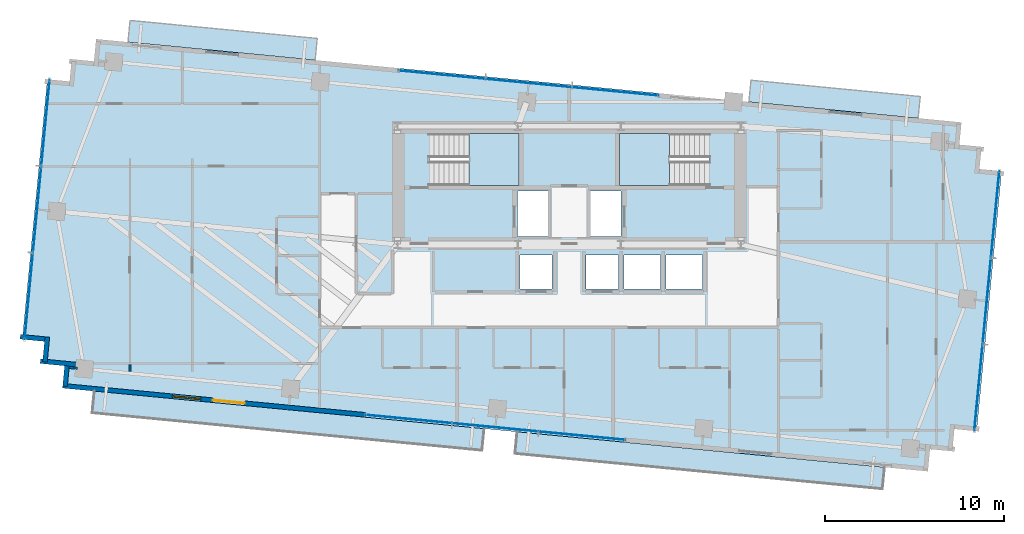
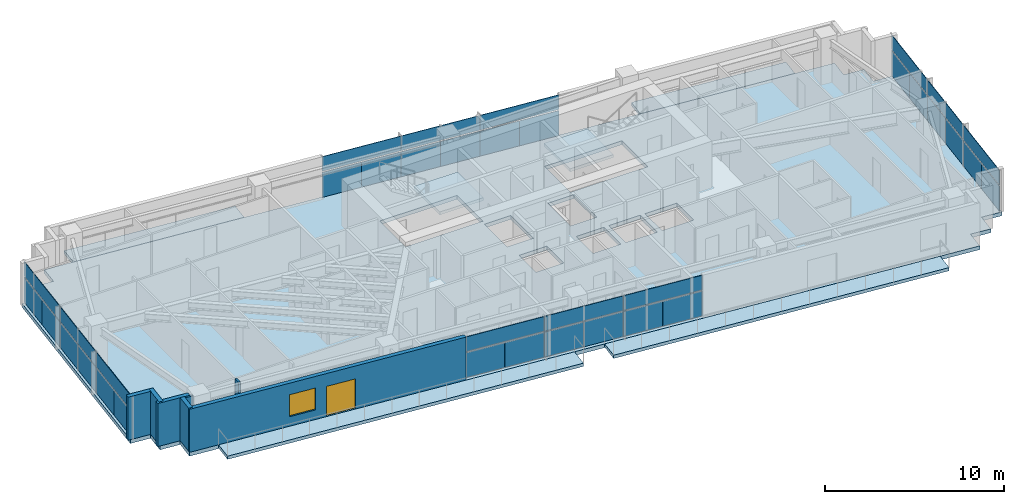
# One storey, part 13 of 19: 36 plates, 7 slabs, 7 walls, 1 door, 1 window, 2 openings, 6 elements without a shape of their own.
"""IFC4 building model written with IfcOpenShell, lengths in metres."""

import ifcopenshell
import ifcopenshell.guid

model = None  # the IFC model being written
_history = None  # IfcOwnerHistory: only IFC2X3 demands one
_inside = {}  # id of a spatial element -> (the spatial element, [elements in it])
_under = {}  # id of a project, library or spatial element -> (it, [spatial elements below it])
_declared = {}  # id of a project -> (the project, [libraries it declares])
_typed = {}  # id of a type object -> (the type object, [elements of that type])
_made_of = {}  # id of a material, layer set ... -> (it, [elements and type objects made of it])


def new_model(schema):
    """Start an empty IFC model of exactly this schema.

    Asked for "IFC4X3", IfcOpenShell would pick the latest addendum, in which some entities
    have other attributes; the version numbers below select the first issue.
    IFC2X3 requires an IfcOwnerHistory on every rooted entity: one is made here for all.
    """
    global model, _history
    if schema == "IFC4X3":
        model = ifcopenshell.file(schema_version=(4, 3, 0, 0))
    else:
        model = ifcopenshell.file(schema=schema)
    _inside.clear()
    _under.clear()
    _declared.clear()
    _typed.clear()
    _made_of.clear()
    _history = None
    if model.schema == "IFC2X3":
        org = make("IfcOrganization", Name="unknown")
        user = make(
            "IfcPersonAndOrganization",
            ThePerson=make("IfcPerson", FamilyName="unknown"),
            TheOrganization=org,
        )
        app = make(
            "IfcApplication",
            ApplicationDeveloper=org,
            Version="unknown",
            ApplicationFullName="unknown",
            ApplicationIdentifier="unknown",
        )
        _history = make(
            "IfcOwnerHistory",
            OwningUser=user,
            OwningApplication=app,
            ChangeAction="ADDED",
            CreationDate=0,
        )
    return model


def make(cls, **values):
    """One entity of the class cls with the attributes given. An attribute that is None is left unset."""
    return model.create_entity(
        cls, **{name: value for name, value in values.items() if value is not None}
    )


def rooted(cls, **values):
    """An entity with a GlobalId (a new one), such as an element, a storey or a relation."""
    return make(cls, GlobalId=ifcopenshell.guid.new(), OwnerHistory=_history, **values)


def si_unit(unit_type, name, prefix=None):
    """IfcSIUnit, for example si_unit("LENGTHUNIT", "METRE", prefix="MILLI")."""
    return make("IfcSIUnit", UnitType=unit_type, Prefix=prefix, Name=name)


def assignment(units):
    """IfcUnitAssignment: the units of a project."""
    return None if units is None else make("IfcUnitAssignment", Units=units)


def point(xyz):
    """IfcCartesianPoint."""
    return None if xyz is None else make("IfcCartesianPoint", Coordinates=xyz)


def direction(xyz):
    """IfcDirection."""
    return None if xyz is None else make("IfcDirection", DirectionRatios=xyz)


def frame(location, z_axis=None, x_axis=None):
    """IfcAxis2Placement3D, a coordinate frame: its origin and axes. An axis left out is left unset."""
    return make(
        "IfcAxis2Placement3D",
        Location=point(location),
        Axis=direction(z_axis),
        RefDirection=direction(x_axis),
    )


def frame_2d(location, x_axis=None):
    """IfcAxis2Placement2D, a coordinate frame in the plane: its origin and x axis."""
    return make(
        "IfcAxis2Placement2D", Location=point(location), RefDirection=direction(x_axis)
    )


def origin():
    """The frame at (0, 0, 0) with its axes left unset."""
    return frame((0.0, 0.0, 0.0))


def origin_2d():
    """The frame at (0, 0) in the plane with its x axis left unset."""
    return frame_2d((0.0, 0.0))


def place(relative_to, where):
    """IfcLocalPlacement: puts the frame where relative to a parent placement (None: the world)."""
    return make(
        "IfcLocalPlacement", PlacementRelTo=relative_to, RelativePlacement=where
    )


def context(
    kind, dimensions, precision=None, world=None, true_north=None, identifier=None
):
    """IfcGeometricRepresentationContext, for example the 3D "Model" context."""
    return make(
        "IfcGeometricRepresentationContext",
        ContextIdentifier=identifier,
        ContextType=kind,
        CoordinateSpaceDimension=dimensions,
        Precision=precision,
        WorldCoordinateSystem=world,
        TrueNorth=true_north,
    )


def subcontext(parent, identifier, kind, view, scale=None):
    """IfcGeometricRepresentationSubContext, for example "Body" below "Model"."""
    return make(
        "IfcGeometricRepresentationSubContext",
        ContextIdentifier=identifier,
        ContextType=kind,
        ParentContext=parent,
        TargetScale=scale,
        TargetView=view,
    )


def project(units=None, contexts=None):
    """IfcProject with its units and contexts."""
    return rooted(
        "IfcProject",
        Name="project",
        RepresentationContexts=contexts,
        UnitsInContext=assignment(units),
    )


def spatial(cls, under=None, at=None, **own):
    """A site, building, storey or space (cls), placed at a placement, below another one or the project."""
    s = rooted(cls, ObjectPlacement=at, **own)
    if under is not None:
        _under.setdefault(under.id(), (under, []))[1].append(s)
    return s


def polyline(points):
    """IfcPolyline through the points."""
    return make("IfcPolyline", Points=[point(p) for p in points])


def profile(cls, at=None, kind="AREA", **sizes):
    """A parametric profile (cls). Its sizes go by their IFC names, for example OverallWidth=200.0."""
    return make(cls, ProfileType=kind, Position=at, **sizes)


def rectangle(**sizes):
    """IfcRectangleProfileDef."""
    return profile("IfcRectangleProfileDef", **sizes)


def outline(outer, holes=None, kind="AREA"):
    """IfcArbitraryClosedProfileDef: a profile drawn as a closed curve; with holes, ...WithVoids."""
    if holes is None:
        return make("IfcArbitraryClosedProfileDef", ProfileType=kind, OuterCurve=outer)
    return make(
        "IfcArbitraryProfileDefWithVoids",
        ProfileType=kind,
        OuterCurve=outer,
        InnerCurves=holes,
    )


def extrude(swept, where, along, depth):
    """IfcExtrudedAreaSolid: the profile swept, set in the frame where, extruded along a direction by depth."""
    return make(
        "IfcExtrudedAreaSolid",
        SweptArea=swept,
        Position=where,
        ExtrudedDirection=direction(along),
        Depth=depth,
    )


def shape(context_of_items, identifier, shape_type, items):
    """IfcShapeRepresentation: the items that make up one representation, for example the "Body"."""
    return make(
        "IfcShapeRepresentation",
        ContextOfItems=context_of_items,
        RepresentationIdentifier=identifier,
        RepresentationType=shape_type,
        Items=items,
    )


def source(mapping_origin, context_of_items, identifier, shape_type, items):
    """IfcRepresentationMap: a shape defined once, which mapped items show again and again."""
    return make(
        "IfcRepresentationMap",
        MappingOrigin=mapping_origin,
        MappedRepresentation=shape(context_of_items, identifier, shape_type, items),
    )


def transform(
    local_origin,
    x_axis=None,
    y_axis=None,
    z_axis=None,
    scale=None,
    scale2=None,
    scale3=None,
    uniform=True,
):
    """IfcCartesianTransformationOperator3D, or its non-uniform kind. x_axis, y_axis, z_axis: its Axis1, 2, 3."""
    if uniform:
        return make(
            "IfcCartesianTransformationOperator3D",
            Axis1=direction(x_axis),
            Axis2=direction(y_axis),
            LocalOrigin=point(local_origin),
            Scale=scale,
            Axis3=direction(z_axis),
        )
    return make(
        "IfcCartesianTransformationOperator3DnonUniform",
        Axis1=direction(x_axis),
        Axis2=direction(y_axis),
        LocalOrigin=point(local_origin),
        Scale=scale,
        Axis3=direction(z_axis),
        Scale2=scale2,
        Scale3=scale3,
    )


def mapped(mapping_source, mapping_target):
    """IfcMappedItem: shows the shape of a source again, moved by a transform."""
    return make(
        "IfcMappedItem", MappingSource=mapping_source, MappingTarget=mapping_target
    )


def material(Name=None, Category=None):
    """IfcMaterial."""
    return make("IfcMaterial", Name=Name, Category=Category)


def layer(
    of_material, thickness, ventilated=None, Name=None, Category=None, Priority=None
):
    """IfcMaterialLayer: one layer of a wall or slab, of a material (None: an air gap)."""
    return make(
        "IfcMaterialLayer",
        Material=of_material,
        LayerThickness=thickness,
        IsVentilated=ventilated,
        Name=Name,
        Category=Category,
        Priority=Priority,
    )


def layer_set(layers, Name=None):
    """IfcMaterialLayerSet."""
    return make("IfcMaterialLayerSet", MaterialLayers=layers, LayerSetName=Name)


def made_of(thing, what):
    """Note that an element or type object is made of a material, layer set ...; save() writes the relation."""
    if what is not None:
        _made_of.setdefault(what.id(), (what, []))[1].append(thing)
    return thing


def type_object(cls, material=None, **own):
    """A type object (cls), such as IfcWallType, which elements share."""
    return made_of(rooted(cls, **own), material)


def type_shapes(of_type, sources):
    """Give a type object the sources (RepresentationMaps) that its elements show as mapped items."""
    of_type.RepresentationMaps = sources


def element(
    cls,
    number,
    at=None,
    inside=None,
    cuts=None,
    type_object=None,
    material=None,
    context=None,
    identifier="Body",
    shape_type=None,
    held_by="IfcProductDefinitionShape",
    body=None,
    shapes=None,
    **own,
):
    """One element of the class cls, such as IfcWall. Its Tag is "e" and its number.

    at: its placement. inside: the storey or other place that contains it. cuts: it is an
    opening in that element (IfcRelVoidsElement). A single representation is given by context,
    identifier, shape_type and body (its items); several are given by shapes. held_by: the class
    of the entity that holds the representations. save() writes the other relations.
    """
    e = rooted(cls, Tag="e%d" % number, ObjectPlacement=at, **own)
    if body is not None:
        shapes = [shape(context, identifier, shape_type, body)]
    if shapes is not None:
        e.Representation = make(held_by, Representations=shapes)
    if inside is not None:
        _inside.setdefault(inside.id(), (inside, []))[1].append(e)
    if cuts is not None:
        rooted(
            "IfcRelVoidsElement", RelatingBuildingElement=cuts, RelatedOpeningElement=e
        )
    if type_object is not None:
        _typed.setdefault(type_object.id(), (type_object, []))[1].append(e)
    return made_of(e, material)


def fill(opening, filler):
    """IfcRelFillsElement: the door or window that sits in an opening."""
    return rooted(
        "IfcRelFillsElement",
        RelatingOpeningElement=opening,
        RelatedBuildingElement=filler,
    )


def aggregate(whole, parts):
    """IfcRelAggregates: a whole, such as a stair, and the parts it consists of."""
    return rooted("IfcRelAggregates", RelatingObject=whole, RelatedObjects=parts)


def save(model, path):
    """Write the relations noted so far, then the file.

    IfcRelAggregates (storeys below a building ...), IfcRelContainedInSpatialStructure (elements
    in a storey), IfcRelDefinesByType, IfcRelAssociatesMaterial and IfcRelDeclares: one each for
    every whole, place, type object, material and project.
    """
    for whole, parts in _under.values():
        aggregate(whole, parts)
    for where, things in _inside.values():
        rooted(
            "IfcRelContainedInSpatialStructure",
            RelatedElements=things,
            RelatingStructure=where,
        )
    for kind, things in _typed.values():
        rooted("IfcRelDefinesByType", RelatedObjects=things, RelatingType=kind)
    for what, things in _made_of.values():
        rooted("IfcRelAssociatesMaterial", RelatedObjects=things, RelatingMaterial=what)
    for by, libraries in _declared.values():
        rooted("IfcRelDeclares", RelatingContext=by, RelatedDefinitions=libraries)
    model.write(path)


model = new_model("IFC4")

# Units and contexts
model_context = context("Model", 3, precision=1e-05, world=origin(), true_north=direction((0.0, 1.0)))
body_context = subcontext(model_context, "Body", "Model", "MODEL_VIEW")
ifc_project = project(units=[si_unit("LENGTHUNIT", "METRE"), si_unit("AREAUNIT", "SQUARE_METRE"), si_unit("VOLUMEUNIT", "CUBIC_METRE"), si_unit("PLANEANGLEUNIT", "RADIAN"), si_unit("MASSUNIT", "GRAM", prefix="KILO")], contexts=[model_context])

# Site, building, storey
site_placement = place(None, origin())
site = spatial("IfcSite", under=ifc_project, at=site_placement, CompositionType="ELEMENT")
building_placement = place(site_placement, origin())
building = spatial("IfcBuilding", under=site, at=building_placement, Name="Astriad Promenade Condominiums", CompositionType="ELEMENT")
storey_placement = place(building_placement, frame((0.0, 0.0, 147.0)))
storey = spatial("IfcBuildingStorey", under=building, at=storey_placement, Name="L42", CompositionType="ELEMENT", Elevation=147.0)

# Slab
ifc_material_1 = material(Name="Concrete C50/60", Category="concrete")
ifc_layer_1 = layer(ifc_material_1, 0.260009765625)
ifc_layer_set_1 = layer_set([ifc_layer_1], Name="Concrete C50/60")
slab_type_1 = type_object("IfcSlabType", Name="CONCRETE TOWER FLOOR SLAB 260", PredefinedType="FLOOR", material=ifc_layer_set_1)
slab_1_placement = place(storey_placement, frame((0.0, 0.0, -0.260009765625)))
element("IfcSlab", 1, at=slab_1_placement, inside=storey, type_object=slab_type_1, Name="Structural Floor Slab (L42)", PredefinedType="FLOOR", context=body_context, shape_type="SweptSolid", body=[
    extrude(outline(polyline([(7.672607421875, 9.374267578125), (56.048828125, 4.716064453125), (56.168701171875, 5.960205078125), (57.412841796875, 5.840576171875), (57.53271484375, 7.084716796875), (58.77685546875, 6.96484375), (60.17626953125, 21.497802734375), (58.931884765625, 21.617431640625), (59.052001953125, 22.86181640625), (57.8076171875, 22.981689453125), (57.927490234375, 24.225830078125), (9.55126953125, 28.8837890625), (9.431396484375, 27.6396484375), (8.18701171875, 27.759521484375), (8.0673828125, 26.515380859375), (6.822998046875, 26.635009765625), (5.423583984375, 12.102294921875), (6.66796875, 11.982421875), (6.548095703125, 10.73828125), (7.79248046875, 10.618408203125), (7.672607421875, 9.374267578125)]), holes=[polyline([(28.175048828125, 20.699951171875), (33.175048828125, 20.699951171875), (33.175048828125, 23.60009765625), (28.175048828125, 23.60009765625), (28.175048828125, 20.699951171875)]), polyline([(38.824951171875, 20.699951171875), (43.824951171875, 20.699951171875), (43.824951171875, 23.60009765625), (38.824951171875, 23.60009765625), (38.824951171875, 20.699951171875)]), polyline([(33.10009765625, 17.85009765625), (34.800048828125, 17.85009765625), (34.800048828125, 20.39990234375), (33.10009765625, 20.39990234375), (33.10009765625, 17.85009765625)]), polyline([(37.199951171875, 17.85009765625), (38.89990234375, 17.85009765625), (38.89990234375, 20.39990234375), (37.199951171875, 20.39990234375), (37.199951171875, 17.85009765625)]), polyline([(33.25, 14.89990234375), (35.050048828125, 14.89990234375), (35.050048828125, 16.800048828125), (33.25, 16.800048828125), (33.25, 14.89990234375)]), polyline([(36.949951171875, 14.89990234375), (38.75, 14.89990234375), (38.75, 16.800048828125), (36.949951171875, 16.800048828125), (36.949951171875, 14.89990234375)]), polyline([(39.050048828125, 14.89990234375), (41.10009765625, 14.89990234375), (41.10009765625, 16.800048828125), (39.050048828125, 16.800048828125), (39.050048828125, 14.89990234375)]), polyline([(41.39990234375, 14.89990234375), (43.449951171875, 14.89990234375), (43.449951171875, 16.800048828125), (41.39990234375, 16.800048828125), (41.39990234375, 14.89990234375)])]), origin(), (0.0, 0.0, 1.0), 0.260009765625),
])

# Stair, slab
stair_type = type_object("IfcStairType", Name="STR-CORE-1350", PredefinedType="HALF_TURN_STAIR", material=ifc_material_1)
stair_1_placement = place(storey_placement, origin())
stair_1 = element("IfcStair", 2, at=stair_1_placement, inside=storey, type_object=stair_type, Name="L42 Enclosed Core Exit Stair ST-1", PredefinedType="HALF_TURN_STAIR")
ifc_layer_2 = layer(ifc_material_1, 0.219970703125)
ifc_layer_set_2 = layer_set([ifc_layer_2], Name="Concrete C50/60")
slab_type_2 = type_object("IfcSlabType", Name="SLB-LANDING-220", PredefinedType="LANDING", material=ifc_layer_set_2)
slab_2_placement = place(storey_placement, frame((0.0, 0.0, 1.39990234375)))
slab_2 = element("IfcSlab", 3, at=slab_2_placement, type_object=slab_type_2, Name="ST-1 landing 1", PredefinedType="LANDING", context=body_context, shape_type="SweptSolid", body=[
    extrude(outline(polyline([(30.389892578125, 20.699951171875), (33.199951171875, 20.699951171875), (33.199951171875, 23.60009765625), (30.389892578125, 23.60009765625), (30.389892578125, 20.699951171875)])), origin(), (0.0, 0.0, 1.0), 0.2001953125),
])
aggregate(stair_1, [slab_2])

stair_2_placement = place(storey_placement, origin())
stair_2 = element("IfcStair", 4, at=stair_2_placement, inside=storey, type_object=stair_type, Name="L42 Enclosed Core Exit Stair ST-2", PredefinedType="HALF_TURN_STAIR")
slab_3_placement = place(storey_placement, frame((0.0, 0.0, 1.39990234375)))
slab_3 = element("IfcSlab", 5, at=slab_3_placement, type_object=slab_type_2, Name="ST-2 landing 1", PredefinedType="LANDING", context=body_context, shape_type="SweptSolid", body=[
    extrude(outline(polyline([(41.610107421875, 23.60009765625), (38.800048828125, 23.60009765625), (38.800048828125, 20.699951171875), (41.610107421875, 20.699951171875), (41.610107421875, 23.60009765625)])), origin(), (0.0, 0.0, 1.0), 0.2001953125),
])
aggregate(stair_2, [slab_3])

# Slabs
ifc_material_2 = material(Name="Precast concrete C50/60", Category="concrete")
ifc_layer_3 = layer(ifc_material_2, 0.219970703125)
ifc_layer_set_3 = layer_set([ifc_layer_3], Name="Precast concrete C50/60")
slab_type_3 = type_object("IfcSlabType", Name="WHITE PRECAST CONCRETE WAVE BALCONY SLAB 220", PredefinedType="FLOOR", material=ifc_layer_set_3)
slab_4_placement = place(storey_placement, frame((0.0, 0.0, -0.219970703125)))
element("IfcSlab", 6, at=slab_4_placement, inside=storey, type_object=slab_type_3, Name="White Precast Wave Balcony Slab BAL-L42-SW", PredefinedType="FLOOR", context=body_context, shape_type="SweptSolid", body=[
    extrude(outline(polyline([(9.33349609375, 7.988525390625), (31.12353515625, 5.890380859375), (31.240478515625, 7.104736328125), (9.450439453125, 9.202880859375), (9.33349609375, 7.988525390625)])), origin(), (0.0, 0.0, 1.0), 0.219970703125),
])
slab_5_placement = place(storey_placement, frame((0.0, 0.0, -0.219970703125)))
element("IfcSlab", 7, at=slab_5_placement, inside=storey, type_object=slab_type_3, Name="White Precast Wave Balcony Slab BAL-L42-SE", PredefinedType="FLOOR", context=body_context, shape_type="SweptSolid", body=[
    extrude(outline(polyline([(53.509033203125, 3.735107421875), (32.97021484375, 5.712646484375), (33.0869140625, 6.925048828125), (53.625732421875, 4.947509765625), (53.509033203125, 3.735107421875)])), origin(), (0.0, 0.0, 1.0), 0.219970703125),
])
slab_6_placement = place(storey_placement, frame((0.0, 0.0, -0.219970703125)))
element("IfcSlab", 8, at=slab_6_placement, inside=storey, type_object=slab_type_3, Name="White Precast Wave Balcony Slab BAL-L42-NW", PredefinedType="FLOOR", context=body_context, shape_type="SweptSolid", body=[
    extrude(outline(polyline([(11.44580078125, 29.927001953125), (21.91162109375, 28.91943359375), (21.794677734375, 27.70703125), (11.3291015625, 28.714599609375), (11.44580078125, 29.927001953125)])), origin(), (0.0, 0.0, 1.0), 0.219970703125),
])
slab_7_placement = place(storey_placement, frame((0.0, 0.0, -0.219970703125)))
element("IfcSlab", 9, at=slab_7_placement, inside=storey, type_object=slab_type_3, Name="White Precast Wave Balcony Slab BAL-L42-NE", PredefinedType="FLOOR", context=body_context, shape_type="SweptSolid", body=[
    extrude(outline(polyline([(46.04248046875, 25.3701171875), (55.504638671875, 24.458984375), (55.62158203125, 25.673583984375), (46.1591796875, 26.584716796875), (46.04248046875, 25.3701171875)])), origin(), (0.0, 0.0, 1.0), 0.219970703125),
])

# Curtain wall, plates
ifc_material_3 = material(Name="Anodised aluminium Black Dark Glass Unitised", Category="aluminium")
curtain_wall_type = type_object("IfcCurtainWallType", Name="CW-B34-DARK", PredefinedType="USERDEFINED", material=ifc_material_3)
curtain_wall_1_placement = place(storey_placement, origin())
curtain_wall_1 = element("IfcCurtainWall", 10, at=curtain_wall_1_placement, inside=storey, type_object=curtain_wall_type, Name="CW-L42-W", ObjectType="UNITISED_CURTAIN_WALL", PredefinedType="USERDEFINED")
ifc_material_4 = material(Name="Dark Tinted Low-E Laminated Glass", Category="glass")
ifc_layer_4 = layer(ifc_material_4, 0.035888671875)
ifc_layer_set_4 = layer_set([ifc_layer_4], Name="Dark Tinted Low-E Laminated Glass")
plate_type = type_object("IfcPlateType", Name="PNL-DARK-GLASS-36", PredefinedType="CURTAIN_PANEL", material=ifc_layer_set_4)
shared_shape_1 = source(origin(), body_context, "Body", "SweptSolid", [
    extrude(rectangle(XDim=2.42138671875, YDim=0.035888671875, at=origin_2d()), origin(), (0.0, 0.0, 1.0), 1.702880859375),
])
plate_1_placement = place(storey_placement, frame((5.669677734375, 13.30078125, 0.080078125), z_axis=(0.0, 0.0, 1.0), x_axis=(0.09584575252, 0.995396198367, 0.0)))
plate_1 = element("IfcPlate", 11, at=plate_1_placement, type_object=plate_type, Name="CW-L42-W-PNL-00-VL", PredefinedType="CURTAIN_PANEL", context=body_context, shape_type="MappedRepresentation", body=[
    mapped(shared_shape_1, transform((0.0, 0.0, 0.0), scale=1.0)),
])
plate_2_placement = place(storey_placement, frame((5.903076171875, 15.722900390625, 0.080078125), z_axis=(0.0, 0.0, 1.0), x_axis=(0.09584575252, 0.995396198367, 0.0)))
plate_2 = element("IfcPlate", 12, at=plate_2_placement, type_object=plate_type, Name="CW-L42-W-PNL-00-VR", PredefinedType="CURTAIN_PANEL", context=body_context, shape_type="MappedRepresentation", body=[
    mapped(shared_shape_1, transform((0.0, 0.0, 0.0), scale=1.0)),
])
plate_3_placement = place(storey_placement, frame((6.13623046875, 18.145263671875, 0.080078125), z_axis=(0.0, 0.0, 1.0), x_axis=(0.09584575252, 0.995396198367, 0.0)))
plate_3 = element("IfcPlate", 13, at=plate_3_placement, type_object=plate_type, Name="CW-L42-W-PNL-01-VL", PredefinedType="CURTAIN_PANEL", context=body_context, shape_type="MappedRepresentation", body=[
    mapped(shared_shape_1, transform((0.0, 0.0, 0.0), scale=1.0)),
])
plate_4_placement = place(storey_placement, frame((6.369384765625, 20.5673828125, 0.080078125), z_axis=(0.0, 0.0, 1.0), x_axis=(0.09584575252, 0.995396198367, 0.0)))
plate_4 = element("IfcPlate", 14, at=plate_4_placement, type_object=plate_type, Name="CW-L42-W-PNL-01-VR", PredefinedType="CURTAIN_PANEL", context=body_context, shape_type="MappedRepresentation", body=[
    mapped(shared_shape_1, transform((0.0, 0.0, 0.0), scale=1.0)),
])
plate_5_placement = place(storey_placement, frame((6.6025390625, 22.989501953125, 0.080078125), z_axis=(0.0, 0.0, 1.0), x_axis=(0.09584575252, 0.995396198367, 0.0)))
plate_5 = element("IfcPlate", 15, at=plate_5_placement, type_object=plate_type, Name="CW-L42-W-PNL-02-VL", PredefinedType="CURTAIN_PANEL", context=body_context, shape_type="MappedRepresentation", body=[
    mapped(shared_shape_1, transform((0.0, 0.0, 0.0), scale=1.0)),
])
plate_6_placement = place(storey_placement, frame((6.8359375, 25.41162109375, 0.080078125), z_axis=(0.0, 0.0, 1.0), x_axis=(0.09584575252, 0.995396198367, 0.0)))
plate_6 = element("IfcPlate", 16, at=plate_6_placement, type_object=plate_type, Name="CW-L42-W-PNL-02-VR", PredefinedType="CURTAIN_PANEL", context=body_context, shape_type="MappedRepresentation", body=[
    mapped(shared_shape_1, transform((0.0, 0.0, 0.0), scale=1.0)),
])

curtain_wall_2_placement = place(storey_placement, origin())
curtain_wall_2 = element("IfcCurtainWall", 17, at=curtain_wall_2_placement, inside=storey, type_object=curtain_wall_type, Name="CW-L42-E", ObjectType="UNITISED_CURTAIN_WALL", PredefinedType="USERDEFINED")
plate_7_placement = place(storey_placement, frame((59.930419921875, 20.299072265625, 0.080078125), z_axis=(0.0, 0.0, 1.0), x_axis=(-0.09584575252, -0.995396198367, 0.0)))
plate_7 = element("IfcPlate", 18, at=plate_7_placement, type_object=plate_type, Name="CW-L42-E-PNL-00-VL", PredefinedType="CURTAIN_PANEL", context=body_context, shape_type="MappedRepresentation", body=[
    mapped(shared_shape_1, transform((0.0, 0.0, 0.0), scale=1.0)),
])
plate_8_placement = place(storey_placement, frame((59.697021484375, 17.876953125, 0.080078125), z_axis=(0.0, 0.0, 1.0), x_axis=(-0.09584575252, -0.995396198367, 0.0)))
plate_8 = element("IfcPlate", 19, at=plate_8_placement, type_object=plate_type, Name="CW-L42-E-PNL-00-VR", PredefinedType="CURTAIN_PANEL", context=body_context, shape_type="MappedRepresentation", body=[
    mapped(shared_shape_1, transform((0.0, 0.0, 0.0), scale=1.0)),
])
plate_9_placement = place(storey_placement, frame((59.4638671875, 15.454833984375, 0.080078125), z_axis=(0.0, 0.0, 1.0), x_axis=(-0.09584575252, -0.995396198367, 0.0)))
plate_9 = element("IfcPlate", 20, at=plate_9_placement, type_object=plate_type, Name="CW-L42-E-PNL-01-VL", PredefinedType="CURTAIN_PANEL", context=body_context, shape_type="MappedRepresentation", body=[
    mapped(shared_shape_1, transform((0.0, 0.0, 0.0), scale=1.0)),
])
plate_10_placement = place(storey_placement, frame((59.230712890625, 13.03271484375, 0.080078125), z_axis=(0.0, 0.0, 1.0), x_axis=(-0.09584575252, -0.995396198367, 0.0)))
plate_10 = element("IfcPlate", 21, at=plate_10_placement, type_object=plate_type, Name="CW-L42-E-PNL-01-VR", PredefinedType="CURTAIN_PANEL", context=body_context, shape_type="MappedRepresentation", body=[
    mapped(shared_shape_1, transform((0.0, 0.0, 0.0), scale=1.0)),
])
plate_11_placement = place(storey_placement, frame((58.997314453125, 10.610595703125, 0.080078125), z_axis=(0.0, 0.0, 1.0), x_axis=(-0.09584575252, -0.995396198367, 0.0)))
plate_11 = element("IfcPlate", 22, at=plate_11_placement, type_object=plate_type, Name="CW-L42-E-PNL-02-VL", PredefinedType="CURTAIN_PANEL", context=body_context, shape_type="MappedRepresentation", body=[
    mapped(shared_shape_1, transform((0.0, 0.0, 0.0), scale=1.0)),
])
plate_12_placement = place(storey_placement, frame((58.76416015625, 8.1884765625, 0.080078125), z_axis=(0.0, 0.0, 1.0), x_axis=(-0.09584575252, -0.995396198367, 0.0)))
plate_12 = element("IfcPlate", 23, at=plate_12_placement, type_object=plate_type, Name="CW-L42-E-PNL-02-VR", PredefinedType="CURTAIN_PANEL", context=body_context, shape_type="MappedRepresentation", body=[
    mapped(shared_shape_1, transform((0.0, 0.0, 0.0), scale=1.0)),
])

# Plate
shared_shape_2 = source(origin(), body_context, "Body", "SweptSolid", [
    extrude(rectangle(XDim=4.854736328125, YDim=0.035888671875, at=origin_2d()), origin(), (0.0, 0.0, 1.0), 0.997314453125),
])
plate_13_placement = place(storey_placement, frame((5.786376953125, 14.511962890625, 1.86279296875), z_axis=(0.0, 0.0, 1.0), x_axis=(0.09584575252, 0.995396198367, 0.0)))
plate_13 = element("IfcPlate", 24, at=plate_13_placement, type_object=plate_type, Name="CW-L42-W-PNL-00-S", PredefinedType="CURTAIN_PANEL", context=body_context, shape_type="MappedRepresentation", body=[
    mapped(shared_shape_2, transform((0.0, 0.0, 0.0), scale=1.0)),
])

plate_14_placement = place(storey_placement, frame((6.252685546875, 19.356201171875, 1.86279296875), z_axis=(0.0, 0.0, 1.0), x_axis=(0.09584575252, 0.995396198367, 0.0)))
plate_14 = element("IfcPlate", 25, at=plate_14_placement, type_object=plate_type, Name="CW-L42-W-PNL-01-S", PredefinedType="CURTAIN_PANEL", context=body_context, shape_type="MappedRepresentation", body=[
    mapped(shared_shape_2, transform((0.0, 0.0, 0.0), scale=1.0)),
])

plate_15_placement = place(storey_placement, frame((6.71923828125, 24.200439453125, 1.86279296875), z_axis=(0.0, 0.0, 1.0), x_axis=(0.09584575252, 0.995396198367, 0.0)))
plate_15 = element("IfcPlate", 26, at=plate_15_placement, type_object=plate_type, Name="CW-L42-W-PNL-02-S", PredefinedType="CURTAIN_PANEL", context=body_context, shape_type="MappedRepresentation", body=[
    mapped(shared_shape_2, transform((0.0, 0.0, 0.0), scale=1.0)),
])

aggregate(curtain_wall_1, [plate_1, plate_2, plate_13, plate_3, plate_4, plate_14, plate_5, plate_6, plate_15])

plate_16_placement = place(storey_placement, frame((59.813720703125, 19.088134765625, 1.86279296875), z_axis=(0.0, 0.0, 1.0), x_axis=(-0.09584575252, -0.995396198367, 0.0)))
plate_16 = element("IfcPlate", 27, at=plate_16_placement, type_object=plate_type, Name="CW-L42-E-PNL-00-S", PredefinedType="CURTAIN_PANEL", context=body_context, shape_type="MappedRepresentation", body=[
    mapped(shared_shape_2, transform((0.0, 0.0, 0.0), scale=1.0)),
])

plate_17_placement = place(storey_placement, frame((59.34716796875, 14.243896484375, 1.86279296875), z_axis=(0.0, 0.0, 1.0), x_axis=(-0.09584575252, -0.995396198367, 0.0)))
plate_17 = element("IfcPlate", 28, at=plate_17_placement, type_object=plate_type, Name="CW-L42-E-PNL-01-S", PredefinedType="CURTAIN_PANEL", context=body_context, shape_type="MappedRepresentation", body=[
    mapped(shared_shape_2, transform((0.0, 0.0, 0.0), scale=1.0)),
])

plate_18_placement = place(storey_placement, frame((58.880615234375, 9.3994140625, 1.86279296875), z_axis=(0.0, 0.0, 1.0), x_axis=(-0.09584575252, -0.995396198367, 0.0)))
plate_18 = element("IfcPlate", 29, at=plate_18_placement, type_object=plate_type, Name="CW-L42-E-PNL-02-S", PredefinedType="CURTAIN_PANEL", context=body_context, shape_type="MappedRepresentation", body=[
    mapped(shared_shape_2, transform((0.0, 0.0, 0.0), scale=1.0)),
])

aggregate(curtain_wall_2, [plate_7, plate_8, plate_16, plate_9, plate_10, plate_17, plate_11, plate_12, plate_18])

# Curtain wall, plates
curtain_wall_3_placement = place(storey_placement, origin())
curtain_wall_3 = element("IfcCurtainWall", 30, at=curtain_wall_3_placement, inside=storey, type_object=curtain_wall_type, Name="CW-L42-N", ObjectType="UNITISED_CURTAIN_WALL", PredefinedType="USERDEFINED")
shared_shape_3 = source(origin(), body_context, "Body", "SweptSolid", [
    extrude(rectangle(XDim=2.41796875, YDim=0.035888671875, at=origin_2d()), origin(), (0.0, 0.0, 1.0), 1.702880859375),
])
plate_19_placement = place(storey_placement, frame((27.6796875, 27.0078125, 0.080078125), z_axis=(0.0, 0.0, 1.0), x_axis=(0.995396198367, -0.09584575252, 0.0)))
plate_19 = element("IfcPlate", 31, at=plate_19_placement, type_object=plate_type, Name="CW-L42-N-PNL-00-VL", PredefinedType="CURTAIN_PANEL", context=body_context, shape_type="MappedRepresentation", body=[
    mapped(shared_shape_3, transform((0.0, 0.0, 0.0), scale=1.0)),
])
plate_20_placement = place(storey_placement, frame((30.0986328125, 26.77490234375, 0.080078125), z_axis=(0.0, 0.0, 1.0), x_axis=(0.995396198367, -0.09584575252, 0.0)))
plate_20 = element("IfcPlate", 32, at=plate_20_placement, type_object=plate_type, Name="CW-L42-N-PNL-00-VR", PredefinedType="CURTAIN_PANEL", context=body_context, shape_type="MappedRepresentation", body=[
    mapped(shared_shape_3, transform((0.0, 0.0, 0.0), scale=1.0)),
])
plate_21_placement = place(storey_placement, frame((32.517333984375, 26.5419921875, 0.080078125), z_axis=(0.0, 0.0, 1.0), x_axis=(0.995396198367, -0.09584575252, 0.0)))
plate_21 = element("IfcPlate", 33, at=plate_21_placement, type_object=plate_type, Name="CW-L42-N-PNL-01-VL", PredefinedType="CURTAIN_PANEL", context=body_context, shape_type="MappedRepresentation", body=[
    mapped(shared_shape_3, transform((0.0, 0.0, 0.0), scale=1.0)),
])
plate_22_placement = place(storey_placement, frame((34.936279296875, 26.30908203125, 0.080078125), z_axis=(0.0, 0.0, 1.0), x_axis=(0.995396198367, -0.09584575252, 0.0)))
plate_22 = element("IfcPlate", 34, at=plate_22_placement, type_object=plate_type, Name="CW-L42-N-PNL-01-VR", PredefinedType="CURTAIN_PANEL", context=body_context, shape_type="MappedRepresentation", body=[
    mapped(shared_shape_3, transform((0.0, 0.0, 0.0), scale=1.0)),
])
plate_23_placement = place(storey_placement, frame((37.35498046875, 26.075927734375, 0.080078125), z_axis=(0.0, 0.0, 1.0), x_axis=(0.995396198367, -0.09584575252, 0.0)))
plate_23 = element("IfcPlate", 35, at=plate_23_placement, type_object=plate_type, Name="CW-L42-N-PNL-02-VL", PredefinedType="CURTAIN_PANEL", context=body_context, shape_type="MappedRepresentation", body=[
    mapped(shared_shape_3, transform((0.0, 0.0, 0.0), scale=1.0)),
])
plate_24_placement = place(storey_placement, frame((39.77392578125, 25.84326171875, 0.080078125), z_axis=(0.0, 0.0, 1.0), x_axis=(0.995396198367, -0.09584575252, 0.0)))
plate_24 = element("IfcPlate", 36, at=plate_24_placement, type_object=plate_type, Name="CW-L42-N-PNL-02-VR", PredefinedType="CURTAIN_PANEL", context=body_context, shape_type="MappedRepresentation", body=[
    mapped(shared_shape_3, transform((0.0, 0.0, 0.0), scale=1.0)),
])

curtain_wall_4_placement = place(storey_placement, origin())
curtain_wall_4 = element("IfcCurtainWall", 37, at=curtain_wall_4_placement, inside=storey, type_object=curtain_wall_type, Name="CW-L42-S", ObjectType="UNITISED_CURTAIN_WALL", PredefinedType="USERDEFINED")
plate_25_placement = place(storey_placement, frame((37.920166015625, 6.59228515625, 0.080078125), z_axis=(0.0, 0.0, 1.0), x_axis=(-0.995396198367, 0.09584575252, 0.0)))
plate_25 = element("IfcPlate", 38, at=plate_25_placement, type_object=plate_type, Name="CW-L42-S-PNL-00-VL", PredefinedType="CURTAIN_PANEL", context=body_context, shape_type="MappedRepresentation", body=[
    mapped(shared_shape_3, transform((0.0, 0.0, 0.0), scale=1.0)),
])
plate_26_placement = place(storey_placement, frame((35.50146484375, 6.8251953125, 0.080078125), z_axis=(0.0, 0.0, 1.0), x_axis=(-0.995396198367, 0.09584575252, 0.0)))
plate_26 = element("IfcPlate", 39, at=plate_26_placement, type_object=plate_type, Name="CW-L42-S-PNL-00-VR", PredefinedType="CURTAIN_PANEL", context=body_context, shape_type="MappedRepresentation", body=[
    mapped(shared_shape_3, transform((0.0, 0.0, 0.0), scale=1.0)),
])
plate_27_placement = place(storey_placement, frame((33.08251953125, 7.05810546875, 0.080078125), z_axis=(0.0, 0.0, 1.0), x_axis=(-0.995396198367, 0.09584575252, 0.0)))
plate_27 = element("IfcPlate", 40, at=plate_27_placement, type_object=plate_type, Name="CW-L42-S-PNL-01-VL", PredefinedType="CURTAIN_PANEL", context=body_context, shape_type="MappedRepresentation", body=[
    mapped(shared_shape_3, transform((0.0, 0.0, 0.0), scale=1.0)),
])
plate_28_placement = place(storey_placement, frame((30.663818359375, 7.291015625, 0.080078125), z_axis=(0.0, 0.0, 1.0), x_axis=(-0.995396198367, 0.09584575252, 0.0)))
plate_28 = element("IfcPlate", 41, at=plate_28_placement, type_object=plate_type, Name="CW-L42-S-PNL-01-VR", PredefinedType="CURTAIN_PANEL", context=body_context, shape_type="MappedRepresentation", body=[
    mapped(shared_shape_3, transform((0.0, 0.0, 0.0), scale=1.0)),
])
plate_29_placement = place(storey_placement, frame((28.244873046875, 7.52392578125, 0.080078125), z_axis=(0.0, 0.0, 1.0), x_axis=(-0.995396198367, 0.09584575252, 0.0)))
plate_29 = element("IfcPlate", 42, at=plate_29_placement, type_object=plate_type, Name="CW-L42-S-PNL-02-VL", PredefinedType="CURTAIN_PANEL", context=body_context, shape_type="MappedRepresentation", body=[
    mapped(shared_shape_3, transform((0.0, 0.0, 0.0), scale=1.0)),
])
plate_30_placement = place(storey_placement, frame((25.826171875, 7.7568359375, 0.080078125), z_axis=(0.0, 0.0, 1.0), x_axis=(-0.995396198367, 0.09584575252, 0.0)))
plate_30 = element("IfcPlate", 43, at=plate_30_placement, type_object=plate_type, Name="CW-L42-S-PNL-02-VR", PredefinedType="CURTAIN_PANEL", context=body_context, shape_type="MappedRepresentation", body=[
    mapped(shared_shape_3, transform((0.0, 0.0, 0.0), scale=1.0)),
])

# Plate
shared_shape_4 = source(origin(), body_context, "Body", "SweptSolid", [
    extrude(rectangle(XDim=4.847900390625, YDim=0.035888671875, at=origin_2d()), origin(), (0.0, 0.0, 1.0), 0.997314453125),
])
type_shapes(plate_type, [shared_shape_1, shared_shape_2, shared_shape_3, shared_shape_4])
plate_31_placement = place(storey_placement, frame((28.88916015625, 26.891357421875, 1.86279296875), z_axis=(0.0, 0.0, 1.0), x_axis=(0.995396198367, -0.09584575252, 0.0)))
plate_31 = element("IfcPlate", 44, at=plate_31_placement, type_object=plate_type, Name="CW-L42-N-PNL-00-S", PredefinedType="CURTAIN_PANEL", context=body_context, shape_type="MappedRepresentation", body=[
    mapped(shared_shape_4, transform((0.0, 0.0, 0.0), scale=1.0)),
])

plate_32_placement = place(storey_placement, frame((33.726806640625, 26.42529296875, 1.86279296875), z_axis=(0.0, 0.0, 1.0), x_axis=(0.995396198367, -0.09584575252, 0.0)))
plate_32 = element("IfcPlate", 45, at=plate_32_placement, type_object=plate_type, Name="CW-L42-N-PNL-01-S", PredefinedType="CURTAIN_PANEL", context=body_context, shape_type="MappedRepresentation", body=[
    mapped(shared_shape_4, transform((0.0, 0.0, 0.0), scale=1.0)),
])

plate_33_placement = place(storey_placement, frame((38.564453125, 25.959716796875, 1.86279296875), z_axis=(0.0, 0.0, 1.0), x_axis=(0.995396198367, -0.09584575252, 0.0)))
plate_33 = element("IfcPlate", 46, at=plate_33_placement, type_object=plate_type, Name="CW-L42-N-PNL-02-S", PredefinedType="CURTAIN_PANEL", context=body_context, shape_type="MappedRepresentation", body=[
    mapped(shared_shape_4, transform((0.0, 0.0, 0.0), scale=1.0)),
])

aggregate(curtain_wall_3, [plate_19, plate_20, plate_31, plate_21, plate_22, plate_32, plate_23, plate_24, plate_33])

plate_34_placement = place(storey_placement, frame((36.710693359375, 6.708740234375, 1.86279296875), z_axis=(0.0, 0.0, 1.0), x_axis=(-0.995396198367, 0.09584575252, 0.0)))
plate_34 = element("IfcPlate", 47, at=plate_34_placement, type_object=plate_type, Name="CW-L42-S-PNL-00-S", PredefinedType="CURTAIN_PANEL", context=body_context, shape_type="MappedRepresentation", body=[
    mapped(shared_shape_4, transform((0.0, 0.0, 0.0), scale=1.0)),
])

plate_35_placement = place(storey_placement, frame((31.873291015625, 7.174560546875, 1.86279296875), z_axis=(0.0, 0.0, 1.0), x_axis=(-0.995396198367, 0.09584575252, 0.0)))
plate_35 = element("IfcPlate", 48, at=plate_35_placement, type_object=plate_type, Name="CW-L42-S-PNL-01-S", PredefinedType="CURTAIN_PANEL", context=body_context, shape_type="MappedRepresentation", body=[
    mapped(shared_shape_4, transform((0.0, 0.0, 0.0), scale=1.0)),
])

plate_36_placement = place(storey_placement, frame((27.035400390625, 7.640380859375, 1.86279296875), z_axis=(0.0, 0.0, 1.0), x_axis=(-0.995396198367, 0.09584575252, 0.0)))
plate_36 = element("IfcPlate", 49, at=plate_36_placement, type_object=plate_type, Name="CW-L42-S-PNL-02-S", PredefinedType="CURTAIN_PANEL", context=body_context, shape_type="MappedRepresentation", body=[
    mapped(shared_shape_4, transform((0.0, 0.0, 0.0), scale=1.0)),
])

aggregate(curtain_wall_4, [plate_25, plate_26, plate_34, plate_27, plate_28, plate_35, plate_29, plate_30, plate_36])

# Walls
ifc_layer_5 = layer(ifc_material_2, 0.260009765625)
ifc_layer_set_5 = layer_set([ifc_layer_5], Name="Precast concrete C50/60")
wall_type_1 = type_object("IfcWallType", Name="WALL-EXT-TWR-260", PredefinedType="STANDARD", material=ifc_layer_set_5)
wall_1_placement = place(storey_placement, frame((8.400146484375, 10.6904296875, 0.0), z_axis=(0.0, 0.0, 1.0), x_axis=(-0.995391147587, 0.095898192396, 0.0)))
element("IfcWall", 50, at=wall_1_placement, inside=storey, type_object=wall_type_1, Name="W-SER-L42-00", PredefinedType="STANDARD", context=body_context, shape_type="SweptSolid", body=[
    extrude(rectangle(XDim=1.97802734375, YDim=0.260009765625, at=frame_2d((0.989013671875, 0.0))), origin(), (0.0, 0.0, 1.0), 2.93994140625),
])
wall_2_placement = place(storey_placement, frame((6.6884765625, 10.840087890625, 0.0), z_axis=(0.0, 0.0, 1.0), x_axis=(0.09589913835, 0.995391056452, 0.0)))
element("IfcWall", 51, at=wall_2_placement, inside=storey, type_object=wall_type_1, Name="W-SER-L42-01", PredefinedType="STANDARD", context=body_context, shape_type="SweptSolid", body=[
    extrude(rectangle(XDim=1.39501953125, YDim=0.260009765625, at=frame_2d((0.697509765625, 0.0))), origin(), (0.0, 0.0, 1.0), 2.93994140625),
])
wall_3_placement = place(storey_placement, frame((6.6953125, 12.110595703125, 0.0), z_axis=(0.0, 0.0, 1.0), x_axis=(-0.99540614245, 0.095742423056, 0.0)))
element("IfcWall", 52, at=wall_3_placement, inside=storey, type_object=wall_type_1, Name="W-SER-L42-02", PredefinedType="STANDARD", context=body_context, shape_type="SweptSolid", body=[
    extrude(rectangle(XDim=1.394775390625, YDim=0.260009765625, at=frame_2d((0.697265625, 0.0))), origin(), (0.0, 0.0, 1.0), 2.93994140625),
])

# Wall, openings, door, window
wall_4_placement = place(storey_placement, frame((24.61669921875, 7.873291015625, 0.0), z_axis=(0.0, 0.0, 1.0), x_axis=(-0.995395976631, 0.095848055311, 0.0)))
wall_4 = element("IfcWall", 53, at=wall_4_placement, inside=storey, type_object=wall_type_1, Name="W-EXT-L42-S2", PredefinedType="STANDARD", context=body_context, shape_type="SweptSolid", body=[
    extrude(rectangle(XDim=17.010009765625, YDim=0.260009765625, at=frame_2d((8.5048828125, 0.0))), origin(), (0.0, 0.0, 1.0), 2.93994140625),
])
opening_1_placement = place(wall_4_placement, frame((6.7900390625, 0.0, 0.0)))
opening_1 = element("IfcOpeningElement", 54, at=opening_1_placement, cuts=wall_4, Name="Opening BD-1822-SLD", PredefinedType="OPENING", context=body_context, shape_type="SweptSolid", body=[
    extrude(rectangle(XDim=1.800048828125, YDim=2.06005859375, at=frame_2d((0.89990234375, 1.030029296875))), frame((0.0, 0.139892578125, 0.0), z_axis=(0.0, -1.0, 0.0), x_axis=(1.0, 0.0, 0.0)), (0.0, 0.0, 1.0), 0.280029296875),
])
opening_2_placement = place(wall_4_placement, frame((9.25, 0.0, 0.64990234375)))
opening_2 = element("IfcOpeningElement", 55, at=opening_2_placement, cuts=wall_4, Name="Opening WIN-TWR-1620", PredefinedType="OPENING", context=body_context, shape_type="SweptSolid", body=[
    extrude(rectangle(XDim=1.60009765625, YDim=1.5, at=frame_2d((0.800048828125, 0.75))), frame((0.0, 0.139892578125, 0.0), z_axis=(0.0, -1.0, 0.0), x_axis=(1.0, 0.0, 0.0)), (0.0, 0.0, 1.0), 0.280029296875),
])
ifc_material_5 = material(Name="Thermally Broken Aluminium Sliding Balcony Door", Category="aluminium")
door_type = type_object("IfcDoorType", Name="BD-1822-SLD", OperationType="NOTDEFINED", PredefinedType="DOOR", material=ifc_material_5)
shared_shape_5 = source(origin(), body_context, "Body", "SweptSolid", [
    extrude(rectangle(XDim=1.800048828125, YDim=2.06005859375, at=frame_2d((0.89990234375, 1.030029296875))), frame((0.0, 0.02490234375, 0.0), z_axis=(0.0, -1.0, 0.0), x_axis=(1.0, 0.0, 0.0)), (0.0, 0.0, 1.0), 0.050048828125),
])
type_shapes(door_type, [shared_shape_5])
door_placement = place(opening_1_placement, origin())
door = element("IfcDoor", 56, at=door_placement, inside=storey, type_object=door_type, Name="BD-L42-SW", OperationType="SLIDING_TO_LEFT", OverallHeight=2.06005859375, OverallWidth=1.800048828125, PredefinedType="DOOR", context=body_context, shape_type="MappedRepresentation", body=[
    mapped(shared_shape_5, transform((0.0, 0.0, 0.0), scale=1.0)),
])
fill(opening_1, door)
ifc_material_6 = material(Name="Dark Tinted Triple-Glazed Aluminium Window", Category="aluminium")
window_type = type_object("IfcWindowType", Name="WIN-TWR-1620", PartitioningType="SINGLE_PANEL", PredefinedType="WINDOW", material=ifc_material_6)
shared_shape_6 = source(origin(), body_context, "Body", "SweptSolid", [
    extrude(rectangle(XDim=1.60009765625, YDim=1.5, at=frame_2d((0.800048828125, 0.75))), frame((0.0, 0.030029296875, 0.0), z_axis=(0.0, -1.0, 0.0), x_axis=(1.0, 0.0, 0.0)), (0.0, 0.0, 1.0), 0.06005859375),
])
type_shapes(window_type, [shared_shape_6])
window_placement = place(opening_2_placement, origin())
window = element("IfcWindow", 57, at=window_placement, inside=storey, type_object=window_type, Name="WIN-L42-SW", OverallHeight=1.5, OverallWidth=1.60009765625, PartitioningType="SINGLE_PANEL", PredefinedType="WINDOW", context=body_context, shape_type="MappedRepresentation", body=[
    mapped(shared_shape_6, transform((0.0, 0.0, 0.0), scale=1.0)),
])
fill(opening_2, window)

# Walls
wall_5_placement = place(storey_placement, frame((7.81298828125, 9.476318359375, 0.0), z_axis=(0.0, 0.0, 1.0), x_axis=(0.09576095695, 0.995404359607, 0.0)))
element("IfcWall", 58, at=wall_5_placement, inside=storey, type_object=wall_type_1, Name="W-SER-L42-19", PredefinedType="STANDARD", context=body_context, shape_type="SweptSolid", body=[
    extrude(rectangle(XDim=1.14990234375, YDim=0.260009765625, at=frame_2d((0.574951171875, 0.0))), origin(), (0.0, 0.0, 1.0), 2.93994140625),
])
ifc_material_7 = material(Name="Acoustic Metal-Stud Gypsum Partition")
ifc_layer_6 = layer(ifc_material_7, 0.1201171875)
ifc_layer_set_6 = layer_set([ifc_layer_6], Name="Acoustic Metal-Stud Gypsum Partition")
wall_type_2 = type_object("IfcWallType", Name="WALL-PART-120", PredefinedType="PARTITIONING", material=ifc_layer_set_6)
wall_6_placement = place(storey_placement, frame((11.43701171875, 10.30908203125, 0.0), z_axis=(0.0, 0.0, 1.0), x_axis=(0.0, 1.0, 0.0)))
element("IfcWall", 59, at=wall_6_placement, inside=storey, type_object=wall_type_2, Name="PT-L42-W1-WDV3", PredefinedType="PARTITIONING", context=body_context, shape_type="SweptSolid", body=[
    extrude(rectangle(XDim=0.3779296875, YDim=0.1201171875, at=frame_2d((0.18896484375, 0.0))), origin(), (0.0, 0.0, 1.0), 2.93994140625),
])
wall_7_placement = place(storey_placement, frame((8.502197265625, 10.479736328125, 0.0), z_axis=(0.0, 0.0, 1.0), x_axis=(-0.995384576284, 0.09596637586, 0.0)))
element("IfcWall", 60, at=wall_7_placement, inside=storey, type_object=wall_type_2, Name="PT-PIL-L42-PC01-8", PredefinedType="PARTITIONING", context=body_context, shape_type="SweptSolid", body=[
    extrude(rectangle(XDim=0.4580078125, YDim=0.1201171875, at=frame_2d((0.22900390625, 0.0))), origin(), (0.0, 0.0, 1.0), 2.93994140625),
])

save(model, "model.ifc")
